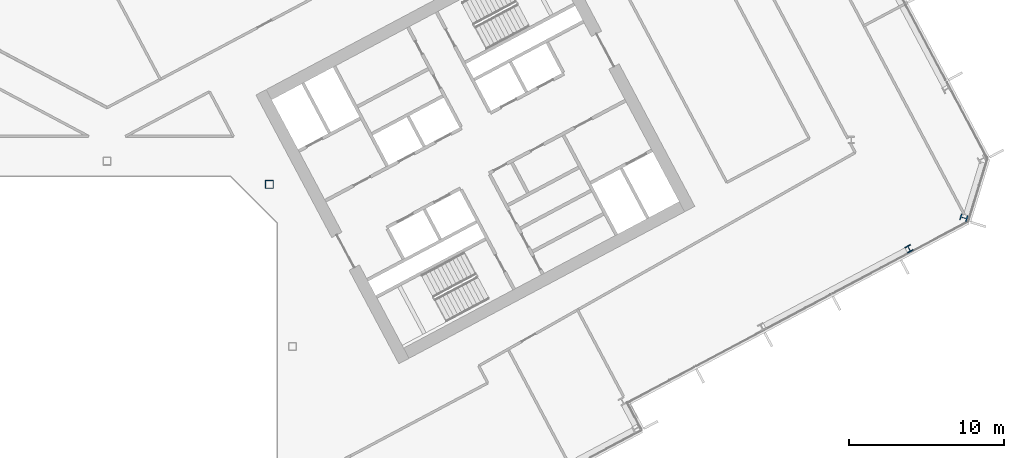
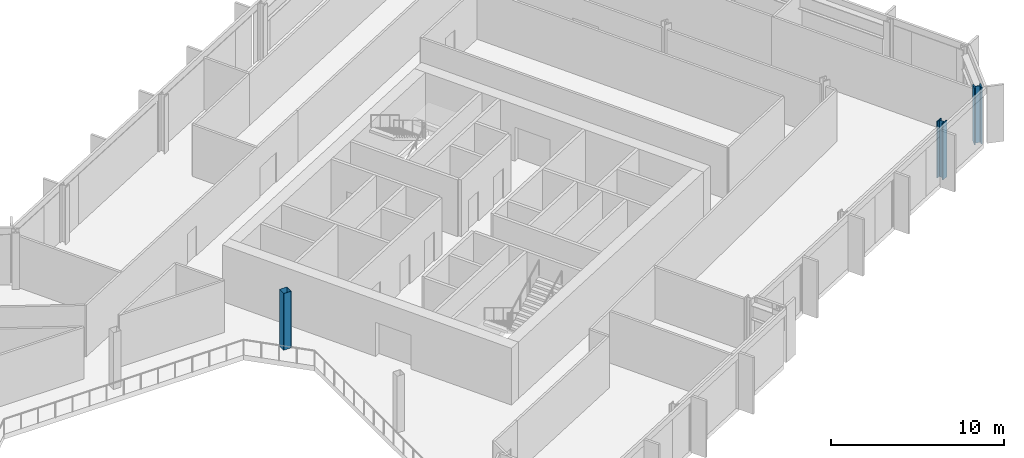
# One storey, part 6 of 28: 3 columns.
"""IFC4 building model written with IfcOpenShell, lengths in metres."""

from ifc_helpers import new_model, si_unit, direction, frame, origin, origin_2d, place, context, subcontext, project, spatial, hollow_rectangle, i_section, extrude, material, material_profile, profile_set, type_object, element, save


model = new_model("IFC4")

# Units and contexts
model_context = context("Model", 3, precision=1e-05, world=origin(), true_north=direction((0.0, 1.0)))
body_context = subcontext(model_context, "Body", "Model", "MODEL_VIEW")
ifc_project = project(units=[si_unit("LENGTHUNIT", "METRE"), si_unit("AREAUNIT", "SQUARE_METRE"), si_unit("VOLUMEUNIT", "CUBIC_METRE"), si_unit("PLANEANGLEUNIT", "RADIAN"), si_unit("MASSUNIT", "GRAM", prefix="KILO")], contexts=[model_context])

# Site, building, storey
site_placement = place(None, origin())
site = spatial("IfcSite", under=ifc_project, at=site_placement, CompositionType="ELEMENT")
building_placement = place(site_placement, origin())
building = spatial("IfcBuilding", under=site, at=building_placement, Name="Cormorant Relay Tower", CompositionType="ELEMENT")
storey_placement = place(building_placement, frame((0.0, 0.0, 146.199951171875)))
storey = spatial("IfcBuildingStorey", under=building, at=storey_placement, Name="L30", CompositionType="ELEMENT", Elevation=146.199951171875)

# Columns
ifc_material_1 = material(Name="Steel ASTM A500 Grade C (Fy 345 MPa)", Category="steel")
ifc_material_profile_1 = material_profile(ifc_material_1, hollow_rectangle(XDim=0.508056640625, YDim=0.508056640625, WallThickness=0.01171875, InnerFilletRadius=0.005859375, OuterFilletRadius=0.017822265625, at=origin_2d()), Name="HSS508x508x12")
ifc_profile_set_1 = profile_set([ifc_material_profile_1], Name="Steel ASTM A500 Grade C (Fy 345 MPa)")
column_type_1 = type_object("IfcColumnType", Name="Column HSS508x508x12", PredefinedType="COLUMN", material=ifc_profile_set_1)
column_1_placement = place(storey_placement, frame((10.5, 10.5, 0.0), z_axis=(0.0, 0.0, 1.0), x_axis=(1.0, 0.0, 0.0)))
element("IfcColumn", 1, at=column_1_placement, inside=storey, type_object=column_type_1, Name="Column L30-024", PredefinedType="COLUMN", context=body_context, shape_type="SweptSolid", body=[
    extrude(hollow_rectangle(XDim=0.508056640625, YDim=0.508056640625, WallThickness=0.01171875, InnerFilletRadius=0.005859375, OuterFilletRadius=0.017822265625, at=origin_2d()), origin(), (0.0, 0.0, 1.0), 4.0),
])
ifc_material_2 = material(Name="Steel ASTM A992 (Fy 345 MPa)", Category="steel")
ifc_material_profile_2 = material_profile(ifc_material_2, i_section(OverallWidth=0.41162109375, OverallDepth=0.434326171875, WebThickness=0.035888671875, FlangeThickness=0.057373046875, FilletRadius=0.01513671875, at=origin_2d()), Name="W360x463")
ifc_profile_set_2 = profile_set([ifc_material_profile_2], Name="Steel ASTM A992 (Fy 345 MPa)")
column_type_2 = type_object("IfcColumnType", Name="Column W360x463", PredefinedType="COLUMN", material=ifc_profile_set_2)
column_2_placement = place(storey_placement, frame((51.905029296875, 6.327880859375, 0.0), z_axis=(0.0, 0.0, 1.0), x_axis=(0.882947592859, 0.469471562786, 0.0)))
element("IfcColumn", 2, at=column_2_placement, inside=storey, type_object=column_type_2, Name="Column L30-020", PredefinedType="COLUMN", context=body_context, shape_type="SweptSolid", body=[
    extrude(i_section(OverallWidth=0.41162109375, OverallDepth=0.434326171875, WebThickness=0.035888671875, FlangeThickness=0.057373046875, FilletRadius=0.01513671875, at=origin_2d()), origin(), (0.0, 0.0, 1.0), 4.0),
])
ifc_material_3 = material(Name="Steel ASTM A992 (Fy 345 MPa)", Category="steel")
ifc_material_profile_3 = material_profile(ifc_material_3, i_section(OverallWidth=0.42431640625, OverallDepth=0.47509765625, WebThickness=0.0478515625, FlangeThickness=0.0771484375, FilletRadius=0.014892578125, at=origin_2d()), Name="W360x634")
ifc_profile_set_3 = profile_set([ifc_material_profile_3], Name="Steel ASTM A992 (Fy 345 MPa)")
column_type_3 = type_object("IfcColumnType", Name="Column W360x634", PredefinedType="COLUMN", material=ifc_profile_set_3)
column_3_placement = place(storey_placement, frame((55.446044921875, 8.3291015625, 0.0), z_axis=(0.0, 0.0, 1.0), x_axis=(0.292371704723, 0.956304755963, 0.0)))
element("IfcColumn", 3, at=column_3_placement, inside=storey, type_object=column_type_3, Name="Column L30-021", PredefinedType="COLUMN", context=body_context, shape_type="SweptSolid", body=[
    extrude(i_section(OverallWidth=0.42431640625, OverallDepth=0.47509765625, WebThickness=0.0478515625, FlangeThickness=0.0771484375, FilletRadius=0.014892578125, at=origin_2d()), origin(), (0.0, 0.0, 1.0), 4.0),
])

save(model, "model.ifc")
